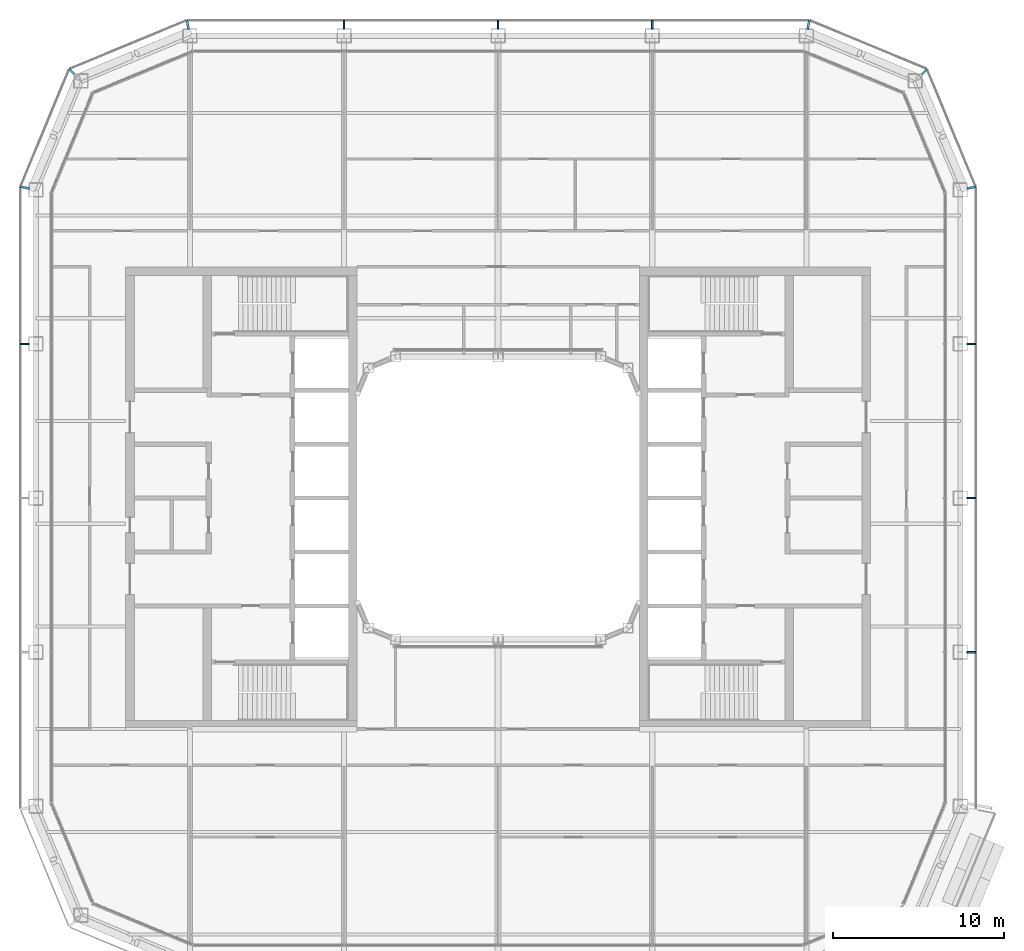
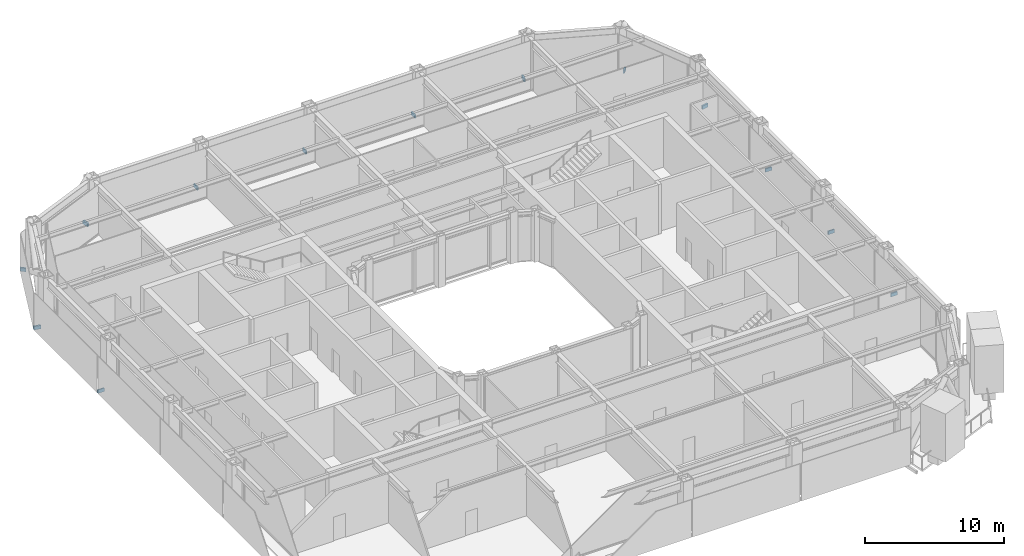
# One storey, part 17 of 22: 13 discrete accessories.
"""IFC4 building model written with IfcOpenShell, lengths in metres."""

from ifc_helpers import new_model, si_unit, direction, frame, origin, origin_2d, place, context, subcontext, project, spatial, rectangle, extrude, material, type_object, element, save


model = new_model("IFC4")

# Units and contexts
model_context = context("Model", 3, precision=1e-05, world=origin(), true_north=direction((0.0, 1.0)))
body_context = subcontext(model_context, "Body", "Model", "MODEL_VIEW")
ifc_project = project(units=[si_unit("LENGTHUNIT", "METRE"), si_unit("AREAUNIT", "SQUARE_METRE"), si_unit("VOLUMEUNIT", "CUBIC_METRE"), si_unit("PLANEANGLEUNIT", "RADIAN"), si_unit("MASSUNIT", "GRAM", prefix="KILO")], contexts=[model_context])

# Site, building, storey
site_placement = place(None, origin())
site = spatial("IfcSite", under=ifc_project, at=site_placement, CompositionType="ELEMENT")
building_placement = place(site_placement, origin())
building = spatial("IfcBuilding", under=site, at=building_placement, Name="Siwar Civic Tower", CompositionType="ELEMENT")
storey_placement = place(building_placement, frame((0.0, 0.0, 201.699951171875)))
storey = spatial("IfcBuildingStorey", under=building, at=storey_placement, Name="L43", CompositionType="ELEMENT", Elevation=201.699951171875)

# Discrete accessories
ifc_material = material(Name="Stainless steel 316", Category="steel")
discrete_accessory_type = type_object("IfcDiscreteAccessoryType", Name="ENV-BRACKET", PredefinedType="BRACKET", material=ifc_material)
for number, where, z_axis, x_axis, name in (
    (1, (27.639892578125, -9.0, -0.14990234375), (0.0, 0.0, 1.0), (1.0, 0.0, 0.0), "Bracket outer skin joint E-01"),
    (2, (27.639892578125, 0.0, -0.14990234375), (0.0, 0.0, 1.0), (1.0, 0.0, 0.0), "Bracket outer skin joint E-02"),
    (3, (27.639892578125, 9.0, -0.14990234375), (0.0, 0.0, 1.0), (1.0, 0.0, 0.0), "Bracket outer skin joint E-03"),
    (4, (9.0, 27.639892578125, -0.14990234375), (0.0, 0.0, 1.0), (0.0, 1.0, 0.0), "Bracket outer skin joint N-01"),
    (5, (0.0, 27.639892578125, -0.14990234375), (0.0, 0.0, 1.0), (0.0, 1.0, 0.0), "Bracket outer skin joint N-02"),
    (6, (-9.0, 27.639892578125, -0.14990234375), (0.0, 0.0, 1.0), (0.0, 1.0, 0.0), "Bracket outer skin joint N-03"),
):
    element("IfcDiscreteAccessory", number, at=place(storey_placement, frame(where, z_axis=z_axis, x_axis=x_axis)), inside=storey, type_object=discrete_accessory_type, Name=name, PredefinedType="BRACKET", context=body_context, shape_type="SweptSolid", body=[
        extrude(rectangle(XDim=0.52001953125, YDim=0.10009765625, at=origin_2d()), origin(), (0.0, 0.0, 1.0), 0.300048828125),
    ])
discrete_accessory_1_placement = place(storey_placement, frame((27.64013671875, 18.12744140625, -0.14990234375), z_axis=(0.0, 0.0, 1.0), x_axis=(0.980785280403, 0.195090322016, 0.0)))
element("IfcDiscreteAccessory", 7, at=discrete_accessory_1_placement, inside=storey, type_object=discrete_accessory_type, Name="Bracket outer skin joint V04", PredefinedType="BRACKET", context=body_context, shape_type="SweptSolid", body=[
    extrude(rectangle(XDim=0.52978515625, YDim=0.13720703125, at=origin_2d()), origin(), (0.0, 0.0, 1.0), 0.300048828125),
])
discrete_accessory_2_placement = place(storey_placement, frame((24.9013671875, 24.9013671875, -0.14990234375), z_axis=(0.0, 0.0, 1.0), x_axis=(0.707106781187, 0.707106781187, 0.0)))
element("IfcDiscreteAccessory", 8, at=discrete_accessory_2_placement, inside=storey, type_object=discrete_accessory_type, Name="Bracket outer skin joint V05", PredefinedType="BRACKET", context=body_context, shape_type="SweptSolid", body=[
    extrude(rectangle(XDim=0.428466796875, YDim=0.12939453125, at=origin_2d()), origin(), (0.0, 0.0, 1.0), 0.300048828125),
])
for number, where, z_axis, x_axis, name in (
    (9, (18.12744140625, 27.64013671875, -0.14990234375), (0.0, 0.0, 1.0), (0.195090322016, 0.980785280403, 0.0), "Bracket outer skin joint V06"),
    (10, (-18.12744140625, 27.64013671875, -0.14990234375), (0.0, 0.0, 1.0), (-0.195090322016, 0.980785280403, 0.0), "Bracket outer skin joint V07"),
):
    element("IfcDiscreteAccessory", number, at=place(storey_placement, frame(where, z_axis=z_axis, x_axis=x_axis)), inside=storey, type_object=discrete_accessory_type, Name=name, PredefinedType="BRACKET", context=body_context, shape_type="SweptSolid", body=[
        extrude(rectangle(XDim=0.52978515625, YDim=0.13720703125, at=origin_2d()), origin(), (0.0, 0.0, 1.0), 0.300048828125),
    ])
discrete_accessory_3_placement = place(storey_placement, frame((-24.9013671875, 24.9013671875, -0.14990234375), z_axis=(0.0, 0.0, 1.0), x_axis=(-0.707106781187, 0.707106781187, 0.0)))
element("IfcDiscreteAccessory", 11, at=discrete_accessory_3_placement, inside=storey, type_object=discrete_accessory_type, Name="Bracket outer skin joint V08", PredefinedType="BRACKET", context=body_context, shape_type="SweptSolid", body=[
    extrude(rectangle(XDim=0.428466796875, YDim=0.12939453125, at=origin_2d()), origin(), (0.0, 0.0, 1.0), 0.300048828125),
])
discrete_accessory_4_placement = place(storey_placement, frame((-27.64013671875, 18.12744140625, -0.14990234375), z_axis=(0.0, 0.0, 1.0), x_axis=(-0.980785280403, 0.195090322016, 0.0)))
element("IfcDiscreteAccessory", 12, at=discrete_accessory_4_placement, inside=storey, type_object=discrete_accessory_type, Name="Bracket outer skin joint V09", PredefinedType="BRACKET", context=body_context, shape_type="SweptSolid", body=[
    extrude(rectangle(XDim=0.52978515625, YDim=0.13720703125, at=origin_2d()), origin(), (0.0, 0.0, 1.0), 0.300048828125),
])
discrete_accessory_5_placement = place(storey_placement, frame((-27.639892578125, 9.0, -0.14990234375), z_axis=(0.0, 0.0, 1.0), x_axis=(-1.0, 0.0, 0.0)))
element("IfcDiscreteAccessory", 13, at=discrete_accessory_5_placement, inside=storey, type_object=discrete_accessory_type, Name="Bracket outer skin joint W-01", PredefinedType="BRACKET", context=body_context, shape_type="SweptSolid", body=[
    extrude(rectangle(XDim=0.52001953125, YDim=0.10009765625, at=origin_2d()), origin(), (0.0, 0.0, 1.0), 0.300048828125),
])

save(model, "model.ifc")
